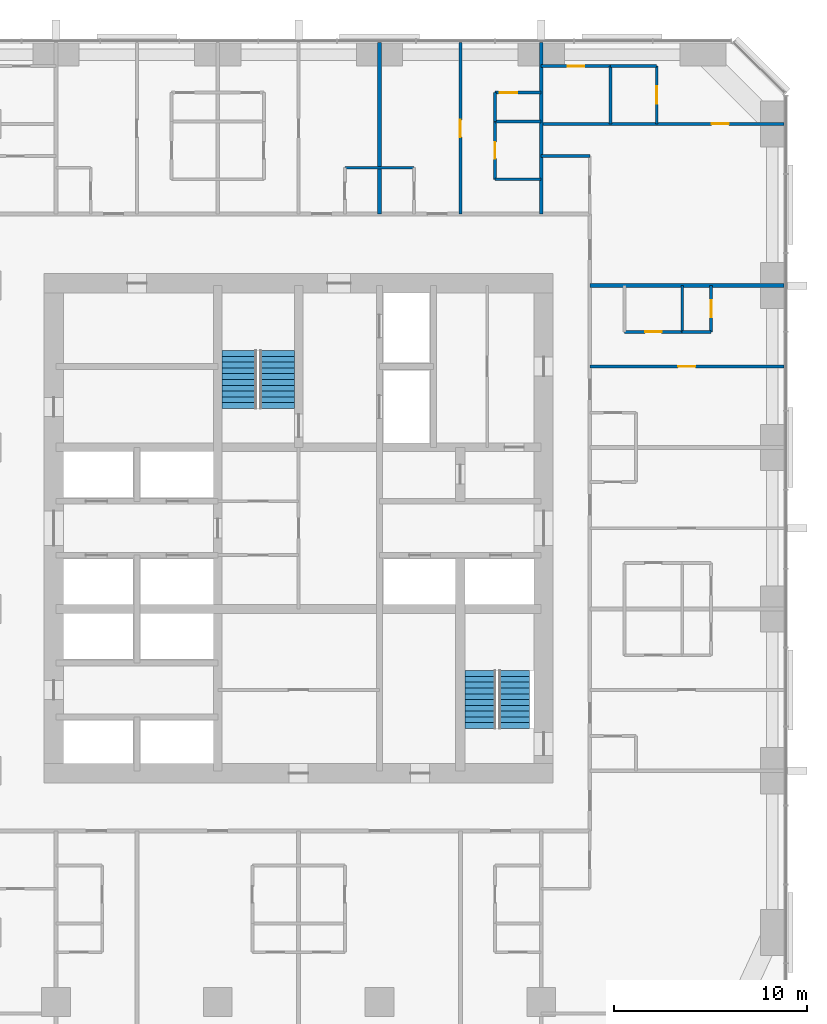
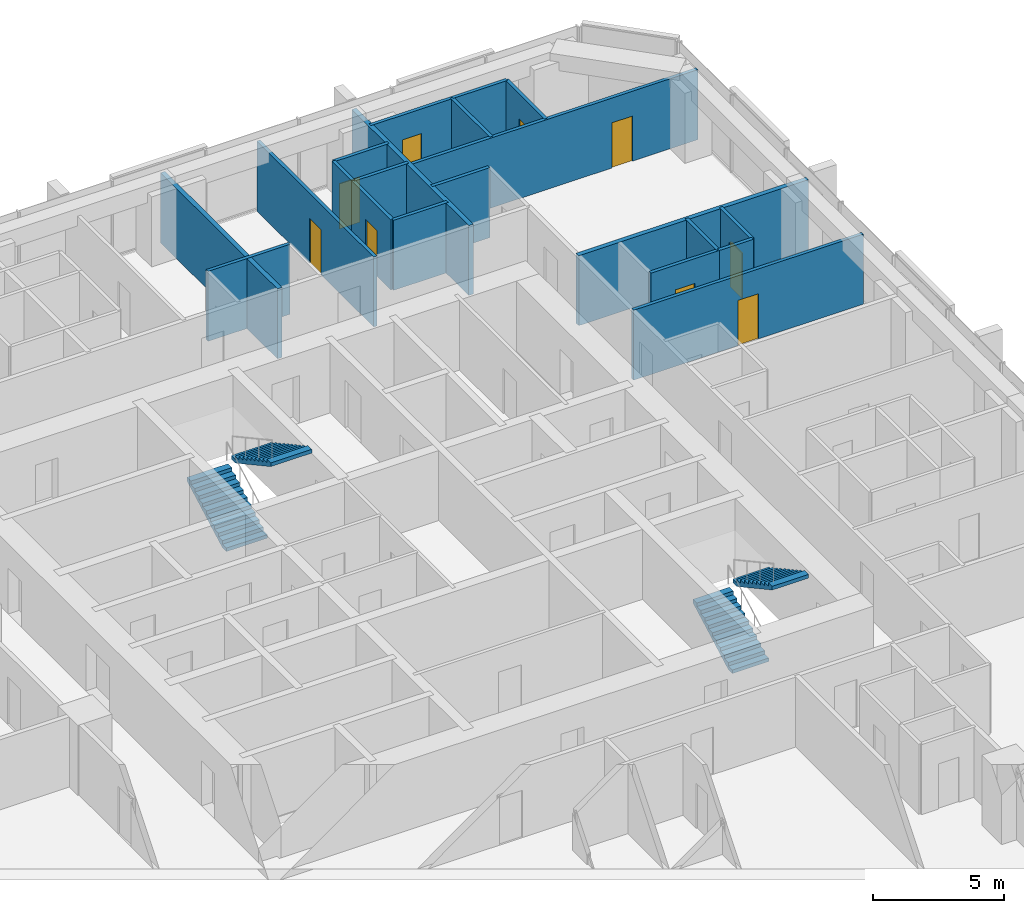
# One storey, part 13 of 14: 21 walls, 9 doors, 4 stair flights, 9 openings, 2 elements without a shape of their own.
"""IFC4 building model written with IfcOpenShell, lengths in metres."""

from ifc_helpers import new_model, si_unit, direction, frame, frame_2d, origin, place, context, subcontext, project, spatial, polyline, rectangle, outline, extrude, material, layer, layer_set, type_object, element, fill, aggregate, save


model = new_model("IFC4")

# Units and contexts
model_context = context("Model", 3, precision=1e-05, world=origin(), true_north=direction((0.0, 1.0)))
body_context = subcontext(model_context, "Body", "Model", "MODEL_VIEW")
ifc_project = project(units=[si_unit("LENGTHUNIT", "METRE"), si_unit("AREAUNIT", "SQUARE_METRE"), si_unit("VOLUMEUNIT", "CUBIC_METRE"), si_unit("PLANEANGLEUNIT", "RADIAN"), si_unit("MASSUNIT", "GRAM", prefix="KILO")], contexts=[model_context])

# Site, building, storey
site_placement = place(None, origin())
site = spatial("IfcSite", under=ifc_project, at=site_placement, CompositionType="ELEMENT")
building_placement = place(site_placement, origin())
building = spatial("IfcBuilding", under=site, at=building_placement, Name="Dunama Terrace Hotel", CompositionType="ELEMENT")
storey_placement = place(building_placement, frame((0.0, 0.0, 126.0)))
storey = spatial("IfcBuildingStorey", under=building, at=storey_placement, Name="L32", CompositionType="ELEMENT", Elevation=126.0)

# Wall, opening, door
ifc_material_1 = material(Name="Gypsum board partition", Category="masonry")
ifc_layer_1 = layer(ifc_material_1, 0.14990234375)
ifc_layer_set_1 = layer_set([ifc_layer_1], Name="Bathroom partition 150")
wall_type_1 = type_object("IfcWallType", Name="Bathroom partition 150", PredefinedType="PARTITIONING", material=ifc_layer_set_1)
wall_1_placement = place(storey_placement, frame((39.60009765625, 47.52490234375, 0.0), z_axis=(0.0, 0.0, 1.0), x_axis=(0.0, 1.0, 0.0)))
wall_1 = element("IfcWall", 1, at=wall_1_placement, inside=storey, type_object=wall_type_1, Name="Bathroom partition 150 L32", PredefinedType="PARTITIONING", context=body_context, shape_type="SweptSolid", body=[
    extrude(rectangle(XDim=3.0, YDim=0.14990234375, at=frame_2d((1.5, 0.0))), origin(), (0.0, 0.0, 1.0), 3.25),
])
opening_1_placement = place(wall_1_placement, frame((1.074951171875, 0.0, 0.0)))
opening_1 = element("IfcOpeningElement", 2, at=opening_1_placement, cuts=wall_1, Name="Opening L31-33-051", PredefinedType="OPENING", context=body_context, shape_type="SweptSolid", body=[
    extrude(rectangle(XDim=0.85009765625, YDim=2.10009765625, at=frame_2d((0.425048828125, 1.050048828125))), frame((0.0, 0.0849609375, 0.0), z_axis=(0.0, -1.0, 0.0), x_axis=(1.0, 0.0, 0.0)), (0.0, 0.0, 1.0), 0.169921875),
])
ifc_material_2 = material(Name="Timber door with steel frame", Category="steel")
door_type_1 = type_object("IfcDoorType", Name="Bathroom door 850", OperationType="SINGLE_SWING_LEFT", PredefinedType="DOOR", material=ifc_material_2)
door_1_placement = place(opening_1_placement, frame((0.85009765625, 0.0, 0.0), z_axis=(0.0, 0.0, 1.0), x_axis=(-1.0, 0.0, 0.0)))
door_1 = element("IfcDoor", 3, at=door_1_placement, inside=storey, type_object=door_type_1, Name="Door to en-suite bathroom L31-33-051, type D2", OperationType="SINGLE_SWING_LEFT", OverallHeight=2.10009765625, OverallWidth=0.85009765625, PredefinedType="DOOR", context=body_context, shape_type="SweptSolid", body=[
    extrude(rectangle(XDim=0.85009765625, YDim=2.10009765625, at=frame_2d((0.425048828125, 1.050048828125))), frame((0.0, 0.025146484375, 0.0), z_axis=(0.0, -1.0, 0.0), x_axis=(1.0, 0.0, 0.0)), (0.0, 0.0, 1.0), 0.050048828125),
])
fill(opening_1, door_1)

wall_2_placement = place(storey_placement, frame((46.324951171875, 39.60009765625, 0.0), z_axis=(0.0, 0.0, 1.0), x_axis=(1.0, 0.0, 0.0)))
wall_2 = element("IfcWall", 4, at=wall_2_placement, inside=storey, type_object=wall_type_1, Name="Bathroom partition 150 L32", PredefinedType="PARTITIONING", context=body_context, shape_type="SweptSolid", body=[
    extrude(rectangle(XDim=3.0, YDim=0.14990234375, at=frame_2d((1.5, 0.0))), origin(), (0.0, 0.0, 1.0), 3.25),
])
opening_2_placement = place(wall_2_placement, frame((1.074951171875, 0.0, 0.0)))
opening_2 = element("IfcOpeningElement", 5, at=opening_2_placement, cuts=wall_2, Name="Opening L31-33-036", PredefinedType="OPENING", context=body_context, shape_type="SweptSolid", body=[
    extrude(rectangle(XDim=0.85009765625, YDim=2.10009765625, at=frame_2d((0.425048828125, 1.050048828125))), frame((0.0, 0.0849609375, 0.0), z_axis=(0.0, -1.0, 0.0), x_axis=(1.0, 0.0, 0.0)), (0.0, 0.0, 1.0), 0.169921875),
])
door_2_placement = place(opening_2_placement, origin())
door_2 = element("IfcDoor", 6, at=door_2_placement, inside=storey, type_object=door_type_1, Name="Door to en-suite bathroom L31-33-036, type D2", OperationType="SINGLE_SWING_RIGHT", OverallHeight=2.10009765625, OverallWidth=0.85009765625, PredefinedType="DOOR", context=body_context, shape_type="SweptSolid", body=[
    extrude(rectangle(XDim=0.85009765625, YDim=2.10009765625, at=frame_2d((0.425048828125, 1.050048828125))), frame((0.0, 0.02490234375, 0.0), z_axis=(0.0, -1.0, 0.0), x_axis=(1.0, 0.0, 0.0)), (0.0, 0.0, 1.0), 0.050048828125),
])
fill(opening_2, door_2)

# Walls
wall_3_placement = place(storey_placement, frame((39.60009765625, 47.52490234375, 0.0), z_axis=(0.0, 0.0, 1.0), x_axis=(1.0, 0.0, 0.0)))
element("IfcWall", 7, at=wall_3_placement, inside=storey, type_object=wall_type_1, Name="Bathroom partition 150 L32", PredefinedType="PARTITIONING", context=body_context, shape_type="SweptSolid", body=[
    extrude(rectangle(XDim=2.39990234375, YDim=0.14990234375, at=frame_2d((1.199951171875, 0.0))), origin(), (0.0, 0.0, 1.0), 3.25),
])
wall_4_placement = place(storey_placement, frame((31.800048828125, 48.125, 0.0), z_axis=(0.0, 0.0, 1.0), x_axis=(1.0, 0.0, 0.0)))
element("IfcWall", 8, at=wall_4_placement, inside=storey, type_object=wall_type_1, Name="Bathroom partition 150 L32", PredefinedType="PARTITIONING", context=body_context, shape_type="SweptSolid", body=[
    extrude(rectangle(XDim=3.599853515625, YDim=0.14990234375, at=frame_2d((1.7998046875, 0.0))), origin(), (0.0, 0.0, 1.0), 3.25),
])
wall_5_placement = place(storey_placement, frame((42.0, 48.72509765625, 0.0), z_axis=(0.0, 0.0, 1.0), x_axis=(1.0, 0.0, 0.0)))
element("IfcWall", 9, at=wall_5_placement, inside=storey, type_object=wall_type_1, Name="Bathroom partition 150 L32", PredefinedType="PARTITIONING", context=body_context, shape_type="SweptSolid", body=[
    extrude(rectangle(XDim=2.52490234375, YDim=0.14990234375, at=frame_2d((1.262451171875, 0.0))), origin(), (0.0, 0.0, 1.0), 3.25),
])

# Wall, opening, door
wall_6_placement = place(storey_placement, frame((42.0, 53.39990234375, 0.0), z_axis=(0.0, 0.0, 1.0), x_axis=(1.0, 0.0, 0.0)))
wall_6 = element("IfcWall", 10, at=wall_6_placement, inside=storey, type_object=wall_type_1, Name="Bathroom partition 150 L32", PredefinedType="PARTITIONING", context=body_context, shape_type="SweptSolid", body=[
    extrude(rectangle(XDim=3.60009765625, YDim=0.14990234375, at=frame_2d((1.800048828125, 0.0))), origin(), (0.0, 0.0, 1.0), 3.25),
])
opening_3_placement = place(wall_6_placement, frame((1.375, 0.0, 0.0)))
opening_3 = element("IfcOpeningElement", 11, at=opening_3_placement, cuts=wall_6, Name="Opening L31-33-075", PredefinedType="OPENING", context=body_context, shape_type="SweptSolid", body=[
    extrude(rectangle(XDim=0.85009765625, YDim=2.10009765625, at=frame_2d((0.425048828125, 1.050048828125))), frame((0.0, 0.0849609375, 0.0), z_axis=(0.0, -1.0, 0.0), x_axis=(1.0, 0.0, 0.0)), (0.0, 0.0, 1.0), 0.169921875),
])
door_3_placement = place(opening_3_placement, frame((0.85009765625, 0.0, 0.0), z_axis=(0.0, 0.0, 1.0), x_axis=(-1.0, 0.0, 0.0)))
door_3 = element("IfcDoor", 12, at=door_3_placement, inside=storey, type_object=door_type_1, Name="Door to en-suite bathroom L31-33-075, type D2", OperationType="SINGLE_SWING_RIGHT", OverallHeight=2.10009765625, OverallWidth=0.85009765625, PredefinedType="DOOR", context=body_context, shape_type="SweptSolid", body=[
    extrude(rectangle(XDim=0.85009765625, YDim=2.10009765625, at=frame_2d((0.425048828125, 1.050048828125))), frame((0.0, 0.025146484375, 0.0), z_axis=(0.0, -1.0, 0.0), x_axis=(1.0, 0.0, 0.0)), (0.0, 0.0, 1.0), 0.050048828125),
])
fill(opening_3, door_3)

# Walls
ifc_material_3 = material(Name="Concrete blockwork", Category="masonry")
ifc_layer_2 = layer(ifc_material_3, 0.199951171875)
ifc_layer_set_2 = layer_set([ifc_layer_2], Name="Party wall 200")
wall_type_2 = type_object("IfcWallType", Name="Party wall 200", PredefinedType="PARTITIONING", material=ifc_layer_set_2)
for number, where, z_axis, x_axis, name in (
    (13, (33.60009765625, 45.72509765625, 0.0), (0.0, 0.0, 1.0), (0.0, 1.0, 0.0), "Party wall 200 L32"),
    (14, (42.0, 45.72509765625, 0.0), (0.0, 0.0, 1.0), (0.0, 1.0, 0.0), "Party wall 200 L32"),
):
    element("IfcWall", number, at=place(storey_placement, frame(where, z_axis=z_axis, x_axis=x_axis)), inside=storey, type_object=wall_type_2, Name=name, PredefinedType="PARTITIONING", context=body_context, shape_type="SweptSolid", body=[
        extrude(rectangle(XDim=8.892822265625, YDim=0.199951171875, at=frame_2d((4.4462890625, 0.0))), origin(), (0.0, 0.0, 1.0), 3.25),
    ])
wall_7_placement = place(storey_placement, frame((44.52490234375, 42.0, 0.0), z_axis=(0.0, 0.0, 1.0), x_axis=(1.0, 0.0, 0.0)))
element("IfcWall", 15, at=wall_7_placement, inside=storey, type_object=wall_type_2, Name="Party wall 200 L32", PredefinedType="PARTITIONING", context=body_context, shape_type="SweptSolid", body=[
    extrude(rectangle(XDim=10.093017578125, YDim=0.199951171875, at=frame_2d((5.04638671875, 0.0))), origin(), (0.0, 0.0, 1.0), 3.25),
])

# Wall, opening, door
ifc_material_4 = material(Name="Gypsum board partition", Category="masonry")
ifc_layer_3 = layer(ifc_material_4, 0.14990234375)
ifc_layer_set_3 = layer_set([ifc_layer_3], Name="Room partition 150")
wall_type_3 = type_object("IfcWallType", Name="Room partition 150", PredefinedType="PARTITIONING", material=ifc_layer_set_3)
wall_8_placement = place(storey_placement, frame((37.800048828125, 45.72509765625, 0.0), z_axis=(0.0, 0.0, 1.0), x_axis=(0.0, 1.0, 0.0)))
wall_8 = element("IfcWall", 16, at=wall_8_placement, inside=storey, type_object=wall_type_3, Name="Room partition 150 L32", PredefinedType="PARTITIONING", context=body_context, shape_type="SweptSolid", body=[
    extrude(rectangle(XDim=8.892822265625, YDim=0.14990234375, at=frame_2d((4.4462890625, 0.0))), origin(), (0.0, 0.0, 1.0), 3.25),
])
opening_4_placement = place(wall_8_placement, frame((3.987060546875, 0.0, 0.0)))
opening_4 = element("IfcOpeningElement", 17, at=opening_4_placement, cuts=wall_8, Name="Opening L31-33-050", PredefinedType="OPENING", context=body_context, shape_type="SweptSolid", body=[
    extrude(rectangle(XDim=0.89990234375, YDim=2.10009765625, at=frame_2d((0.449951171875, 1.050048828125))), frame((0.0, 0.0849609375, 0.0), z_axis=(0.0, -1.0, 0.0), x_axis=(1.0, 0.0, 0.0)), (0.0, 0.0, 1.0), 0.169921875),
])
ifc_material_5 = material(Name="Timber door with steel frame", Category="steel")
door_type_2 = type_object("IfcDoorType", Name="Suite internal door 900", OperationType="SINGLE_SWING_LEFT", PredefinedType="DOOR", material=ifc_material_5)
door_4_placement = place(opening_4_placement, frame((0.89990234375, 0.0, 0.0), z_axis=(0.0, 0.0, 1.0), x_axis=(-1.0, 0.0, 0.0)))
door_4 = element("IfcDoor", 18, at=door_4_placement, inside=storey, type_object=door_type_2, Name="Door to premier suite bedroom L31-33-050, type D16", OperationType="SINGLE_SWING_RIGHT", OverallHeight=2.10009765625, OverallWidth=0.89990234375, PredefinedType="DOOR", context=body_context, shape_type="SweptSolid", body=[
    extrude(rectangle(XDim=0.89990234375, YDim=2.10009765625, at=frame_2d((0.449951171875, 1.050048828125))), frame((0.0, 0.025146484375, 0.0), z_axis=(0.0, -1.0, 0.0), x_axis=(1.0, 0.0, 0.0)), (0.0, 0.0, 1.0), 0.050048828125),
])
fill(opening_4, door_4)

# Walls
wall_9_placement = place(storey_placement, frame((39.60009765625, 50.52490234375, 0.0), z_axis=(0.0, 0.0, 1.0), x_axis=(0.0, 1.0, 0.0)))
element("IfcWall", 19, at=wall_9_placement, inside=storey, type_object=wall_type_3, Name="Room partition 150 L32", PredefinedType="PARTITIONING", context=body_context, shape_type="SweptSolid", body=[
    extrude(rectangle(XDim=1.5, YDim=0.14990234375, at=frame_2d((0.75, 0.0))), origin(), (0.0, 0.0, 1.0), 3.25),
])
wall_10_placement = place(storey_placement, frame((45.60009765625, 50.39990234375, 0.0), z_axis=(0.0, 0.0, 1.0), x_axis=(0.0, 1.0, 0.0)))
element("IfcWall", 20, at=wall_10_placement, inside=storey, type_object=wall_type_3, Name="Room partition 150 L32", PredefinedType="PARTITIONING", context=body_context, shape_type="SweptSolid", body=[
    extrude(rectangle(XDim=3.0, YDim=0.14990234375, at=frame_2d((1.5, 0.0))), origin(), (0.0, 0.0, 1.0), 3.25),
])

# Wall, opening, door
wall_11_placement = place(storey_placement, frame((48.0, 50.39990234375, 0.0), z_axis=(0.0, 0.0, 1.0), x_axis=(0.0, 1.0, 0.0)))
wall_11 = element("IfcWall", 21, at=wall_11_placement, inside=storey, type_object=wall_type_3, Name="Room partition 150 L32", PredefinedType="PARTITIONING", context=body_context, shape_type="SweptSolid", body=[
    extrude(rectangle(XDim=3.0, YDim=0.14990234375, at=frame_2d((1.5, 0.0))), origin(), (0.0, 0.0, 1.0), 3.25),
])
opening_5_placement = place(wall_11_placement, frame((1.050048828125, 0.0, 0.0)))
opening_5 = element("IfcOpeningElement", 22, at=opening_5_placement, cuts=wall_11, Name="Opening L31-33-076", PredefinedType="OPENING", context=body_context, shape_type="SweptSolid", body=[
    extrude(rectangle(XDim=0.89990234375, YDim=2.10009765625, at=frame_2d((0.449951171875, 1.050048828125))), frame((0.0, 0.0849609375, 0.0), z_axis=(0.0, -1.0, 0.0), x_axis=(1.0, 0.0, 0.0)), (0.0, 0.0, 1.0), 0.169921875),
])
door_5_placement = place(opening_5_placement, origin())
door_5 = element("IfcDoor", 23, at=door_5_placement, inside=storey, type_object=door_type_2, Name="Door to dressing room L31-33-076, type D16", OperationType="SINGLE_SWING_LEFT", OverallHeight=2.10009765625, OverallWidth=0.89990234375, PredefinedType="DOOR", context=body_context, shape_type="SweptSolid", body=[
    extrude(rectangle(XDim=0.89990234375, YDim=2.10009765625, at=frame_2d((0.449951171875, 1.050048828125))), frame((0.0, 0.02490234375, 0.0), z_axis=(0.0, -1.0, 0.0), x_axis=(1.0, 0.0, 0.0)), (0.0, 0.0, 1.0), 0.050048828125),
])
fill(opening_5, door_5)

# Wall
wall_12_placement = place(storey_placement, frame((49.324951171875, 39.60009765625, 0.0), z_axis=(0.0, 0.0, 1.0), x_axis=(0.0, 1.0, 0.0)))
element("IfcWall", 24, at=wall_12_placement, inside=storey, type_object=wall_type_3, Name="Room partition 150 L32", PredefinedType="PARTITIONING", context=body_context, shape_type="SweptSolid", body=[
    extrude(rectangle(XDim=2.39990234375, YDim=0.14990234375, at=frame_2d((1.199951171875, 0.0))), origin(), (0.0, 0.0, 1.0), 3.25),
])

# Wall, opening, door
wall_13_placement = place(storey_placement, frame((50.824951171875, 39.60009765625, 0.0), z_axis=(0.0, 0.0, 1.0), x_axis=(0.0, 1.0, 0.0)))
wall_13 = element("IfcWall", 25, at=wall_13_placement, inside=storey, type_object=wall_type_3, Name="Room partition 150 L32", PredefinedType="PARTITIONING", context=body_context, shape_type="SweptSolid", body=[
    extrude(rectangle(XDim=2.39990234375, YDim=0.14990234375, at=frame_2d((1.199951171875, 0.0))), origin(), (0.0, 0.0, 1.0), 3.25),
])
opening_6_placement = place(wall_13_placement, frame((0.75, 0.0, 0.0)))
opening_6 = element("IfcOpeningElement", 26, at=opening_6_placement, cuts=wall_13, Name="Opening L31-33-037", PredefinedType="OPENING", context=body_context, shape_type="SweptSolid", body=[
    extrude(rectangle(XDim=0.89990234375, YDim=2.10009765625, at=frame_2d((0.449951171875, 1.050048828125))), frame((0.0, 0.0849609375, 0.0), z_axis=(0.0, -1.0, 0.0), x_axis=(1.0, 0.0, 0.0)), (0.0, 0.0, 1.0), 0.169921875),
])
door_6_placement = place(opening_6_placement, origin())
door_6 = element("IfcDoor", 27, at=door_6_placement, inside=storey, type_object=door_type_2, Name="Door to walk-in wardrobe L31-33-037, type D16", OperationType="SINGLE_SWING_LEFT", OverallHeight=2.10009765625, OverallWidth=0.89990234375, PredefinedType="DOOR", context=body_context, shape_type="SweptSolid", body=[
    extrude(rectangle(XDim=0.89990234375, YDim=2.10009765625, at=frame_2d((0.449951171875, 1.050048828125))), frame((0.0, 0.02490234375, 0.0), z_axis=(0.0, -1.0, 0.0), x_axis=(1.0, 0.0, 0.0)), (0.0, 0.0, 1.0), 0.050048828125),
])
fill(opening_6, door_6)

wall_14_placement = place(storey_placement, frame((44.52490234375, 37.800048828125, 0.0), z_axis=(0.0, 0.0, 1.0), x_axis=(1.0, 0.0, 0.0)))
wall_14 = element("IfcWall", 28, at=wall_14_placement, inside=storey, type_object=wall_type_3, Name="Room partition 150 L32", PredefinedType="PARTITIONING", context=body_context, shape_type="SweptSolid", body=[
    extrude(rectangle(XDim=10.093017578125, YDim=0.14990234375, at=frame_2d((5.04638671875, 0.0))), origin(), (0.0, 0.0, 1.0), 3.25),
])
opening_7_placement = place(wall_14_placement, frame((4.5869140625, 0.0, 0.0)))
opening_7 = element("IfcOpeningElement", 29, at=opening_7_placement, cuts=wall_14, Name="Opening L31-33-035", PredefinedType="OPENING", context=body_context, shape_type="SweptSolid", body=[
    extrude(rectangle(XDim=0.89990234375, YDim=2.10009765625, at=frame_2d((0.449951171875, 1.050048828125))), frame((0.0, 0.0849609375, 0.0), z_axis=(0.0, -1.0, 0.0), x_axis=(1.0, 0.0, 0.0)), (0.0, 0.0, 1.0), 0.169921875),
])
door_7_placement = place(opening_7_placement, origin())
door_7 = element("IfcDoor", 30, at=door_7_placement, inside=storey, type_object=door_type_2, Name="Door to executive suite bedroom L31-33-035, type D16", OperationType="SINGLE_SWING_LEFT", OverallHeight=2.10009765625, OverallWidth=0.89990234375, PredefinedType="DOOR", context=body_context, shape_type="SweptSolid", body=[
    extrude(rectangle(XDim=0.89990234375, YDim=2.10009765625, at=frame_2d((0.449951171875, 1.050048828125))), frame((0.0, 0.02490234375, 0.0), z_axis=(0.0, -1.0, 0.0), x_axis=(1.0, 0.0, 0.0)), (0.0, 0.0, 1.0), 0.050048828125),
])
fill(opening_7, door_7)

# Wall
wall_15_placement = place(storey_placement, frame((49.324951171875, 39.60009765625, 0.0), z_axis=(0.0, 0.0, 1.0), x_axis=(1.0, 0.0, 0.0)))
element("IfcWall", 31, at=wall_15_placement, inside=storey, type_object=wall_type_3, Name="Room partition 150 L32", PredefinedType="PARTITIONING", context=body_context, shape_type="SweptSolid", body=[
    extrude(rectangle(XDim=1.5, YDim=0.14990234375, at=frame_2d((0.75, 0.0))), origin(), (0.0, 0.0, 1.0), 3.25),
])

# Wall, opening, door
wall_16_placement = place(storey_placement, frame((42.0, 50.39990234375, 0.0), z_axis=(0.0, 0.0, 1.0), x_axis=(1.0, 0.0, 0.0)))
wall_16 = element("IfcWall", 32, at=wall_16_placement, inside=storey, type_object=wall_type_3, Name="Room partition 150 L32", PredefinedType="PARTITIONING", context=body_context, shape_type="SweptSolid", body=[
    extrude(rectangle(XDim=12.617919921875, YDim=0.14990234375, at=frame_2d((6.30908203125, 0.0))), origin(), (0.0, 0.0, 1.0), 3.25),
])
opening_8_placement = place(wall_16_placement, frame((8.85009765625, 0.0, 0.0)))
opening_8 = element("IfcOpeningElement", 33, at=opening_8_placement, cuts=wall_16, Name="Opening L31-33-074", PredefinedType="OPENING", context=body_context, shape_type="SweptSolid", body=[
    extrude(rectangle(XDim=0.89990234375, YDim=2.10009765625, at=frame_2d((0.449951171875, 1.050048828125))), frame((0.0, 0.0849609375, 0.0), z_axis=(0.0, -1.0, 0.0), x_axis=(1.0, 0.0, 0.0)), (0.0, 0.0, 1.0), 0.169921875),
])
door_8_placement = place(opening_8_placement, origin())
door_8 = element("IfcDoor", 34, at=door_8_placement, inside=storey, type_object=door_type_2, Name="Door to corner suite bedroom L31-33-074, type D16", OperationType="SINGLE_SWING_RIGHT", OverallHeight=2.10009765625, OverallWidth=0.89990234375, PredefinedType="DOOR", context=body_context, shape_type="SweptSolid", body=[
    extrude(rectangle(XDim=0.89990234375, YDim=2.10009765625, at=frame_2d((0.449951171875, 1.050048828125))), frame((0.0, 0.02490234375, 0.0), z_axis=(0.0, -1.0, 0.0), x_axis=(1.0, 0.0, 0.0)), (0.0, 0.0, 1.0), 0.050048828125),
])
fill(opening_8, door_8)

# Wall
wall_17_placement = place(storey_placement, frame((39.60009765625, 50.52490234375, 0.0), z_axis=(0.0, 0.0, 1.0), x_axis=(1.0, 0.0, 0.0)))
element("IfcWall", 35, at=wall_17_placement, inside=storey, type_object=wall_type_3, Name="Room partition 150 L32", PredefinedType="PARTITIONING", context=body_context, shape_type="SweptSolid", body=[
    extrude(rectangle(XDim=2.39990234375, YDim=0.14990234375, at=frame_2d((1.199951171875, 0.0))), origin(), (0.0, 0.0, 1.0), 3.25),
])

# Wall, opening, door
wall_18_placement = place(storey_placement, frame((39.60009765625, 52.02490234375, 0.0), z_axis=(0.0, 0.0, 1.0), x_axis=(1.0, 0.0, 0.0)))
wall_18 = element("IfcWall", 36, at=wall_18_placement, inside=storey, type_object=wall_type_3, Name="Room partition 150 L32", PredefinedType="PARTITIONING", context=body_context, shape_type="SweptSolid", body=[
    extrude(rectangle(XDim=2.39990234375, YDim=0.14990234375, at=frame_2d((1.199951171875, 0.0))), origin(), (0.0, 0.0, 1.0), 3.25),
])
opening_9_placement = place(wall_18_placement, frame((0.25, 0.0, 0.0)))
opening_9 = element("IfcOpeningElement", 37, at=opening_9_placement, cuts=wall_18, Name="Opening L31-33-052", PredefinedType="OPENING", context=body_context, shape_type="SweptSolid", body=[
    extrude(rectangle(XDim=0.89990234375, YDim=2.10009765625, at=frame_2d((0.449951171875, 1.050048828125))), frame((0.0, 0.0849609375, 0.0), z_axis=(0.0, -1.0, 0.0), x_axis=(1.0, 0.0, 0.0)), (0.0, 0.0, 1.0), 0.169921875),
])
door_9_placement = place(opening_9_placement, frame((0.89990234375, 0.0, 0.0), z_axis=(0.0, 0.0, 1.0), x_axis=(-1.0, 0.0, 0.0)))
door_9 = element("IfcDoor", 38, at=door_9_placement, inside=storey, type_object=door_type_2, Name="Door to walk-in wardrobe L31-33-052, type D16", OperationType="SINGLE_SWING_RIGHT", OverallHeight=2.10009765625, OverallWidth=0.89990234375, PredefinedType="DOOR", context=body_context, shape_type="SweptSolid", body=[
    extrude(rectangle(XDim=0.89990234375, YDim=2.10009765625, at=frame_2d((0.449951171875, 1.050048828125))), frame((0.0, 0.025146484375, 0.0), z_axis=(0.0, -1.0, 0.0), x_axis=(1.0, 0.0, 0.0)), (0.0, 0.0, 1.0), 0.050048828125),
])
fill(opening_9, door_9)

# Wall
wall_19_placement = place(storey_placement, frame((45.60009765625, 53.39990234375, 0.0), z_axis=(0.0, 0.0, 1.0), x_axis=(1.0, 0.0, 0.0)))
element("IfcWall", 39, at=wall_19_placement, inside=storey, type_object=wall_type_3, Name="Room partition 150 L32", PredefinedType="PARTITIONING", context=body_context, shape_type="SweptSolid", body=[
    extrude(rectangle(XDim=2.39990234375, YDim=0.14990234375, at=frame_2d((1.199951171875, 0.0))), origin(), (0.0, 0.0, 1.0), 3.25),
])

# Stair, stair flights
ifc_material_6 = material(Name="Concrete C40/50", Category="concrete")
stair_type_1 = type_object("IfcStairType", Name="Stair ST1-3600-1800", PredefinedType="HALF_TURN_STAIR", material=ifc_material_6)
stair_1_placement = place(storey_placement, origin())
stair_1 = element("IfcStair", 40, at=stair_1_placement, inside=storey, type_object=stair_type_1, Name="Stair ST1 L32", PredefinedType="HALF_TURN_STAIR")
ifc_material_7 = material(Name="Concrete C40/50", Category="concrete")
stair_flight_type_1 = type_object("IfcStairFlightType", Name="Stair flight ST1-3600-1800", PredefinedType="STRAIGHT", material=ifc_material_7)
stair_flight_1_placement = place(storey_placement, frame((26.324951171875, 35.625, 0.0), z_axis=(0.0, 0.0, 1.0), x_axis=(0.0, 1.0, 0.0)))
stair_flight_1 = element("IfcStairFlight", 41, at=stair_flight_1_placement, type_object=stair_flight_type_1, Name="ST1 flight 1", NumberOfRisers=11, NumberOfTreads=10, PredefinedType="STRAIGHT", RiserHeight=0.163636364, TreadLength=0.3, context=body_context, shape_type="SweptSolid", body=[
    extrude(outline(polyline([(0.0, 0.0), (0.0, 0.16357421875), (0.300048828125, 0.16357421875), (0.300048828125, 0.327392578125), (0.60009765625, 0.327392578125), (0.60009765625, 0.490966796875), (0.89990234375, 0.490966796875), (0.89990234375, 0.654541015625), (1.199951171875, 0.654541015625), (1.199951171875, 0.818115234375), (1.5, 0.818115234375), (1.5, 0.98193359375), (1.800048828125, 0.98193359375), (1.800048828125, 1.1455078125), (2.10009765625, 1.1455078125), (2.10009765625, 1.30908203125), (2.39990234375, 1.30908203125), (2.39990234375, 1.47265625), (2.699951171875, 1.47265625), (2.699951171875, 1.636474609375), (3.0, 1.636474609375), (3.0, 1.800048828125), (3.0, 1.465576171875), (0.31298828125, 0.0), (0.0, 0.0)])), frame((0.0, 0.89990234375, 0.0), z_axis=(0.0, -1.0, 0.0), x_axis=(1.0, 0.0, 0.0)), (0.0, 0.0, 1.0), 1.800048828125),
])
stair_flight_2_placement = place(storey_placement, frame((28.27490234375, 38.625, 1.800048828125), z_axis=(0.0, 0.0, 1.0), x_axis=(0.0, -1.0, 0.0)))
stair_flight_2 = element("IfcStairFlight", 42, at=stair_flight_2_placement, type_object=stair_flight_type_1, Name="ST1 flight 2", NumberOfRisers=11, NumberOfTreads=10, PredefinedType="STRAIGHT", RiserHeight=0.163636364, TreadLength=0.3, context=body_context, shape_type="SweptSolid", body=[
    extrude(outline(polyline([(0.0, 0.0), (0.0, 0.16357421875), (0.300048828125, 0.16357421875), (0.300048828125, 0.327392578125), (0.60009765625, 0.327392578125), (0.60009765625, 0.490966796875), (0.89990234375, 0.490966796875), (0.89990234375, 0.654541015625), (1.199951171875, 0.654541015625), (1.199951171875, 0.818115234375), (1.5, 0.818115234375), (1.5, 0.98193359375), (1.800048828125, 0.98193359375), (1.800048828125, 1.1455078125), (2.10009765625, 1.1455078125), (2.10009765625, 1.30908203125), (2.39990234375, 1.30908203125), (2.39990234375, 1.47265625), (2.699951171875, 1.47265625), (2.699951171875, 1.636474609375), (3.0, 1.636474609375), (3.0, 1.800048828125), (3.0, 1.465576171875), (0.31298828125, 0.0), (0.0, 0.0)])), frame((0.0, 0.89990234375, 0.0), z_axis=(0.0, -1.0, 0.0), x_axis=(1.0, 0.0, 0.0)), (0.0, 0.0, 1.0), 1.800048828125),
])
aggregate(stair_1, [stair_flight_1, stair_flight_2])

ifc_material_8 = material(Name="Concrete C40/50", Category="concrete")
stair_type_2 = type_object("IfcStairType", Name="Stair ST2-3600-1600", PredefinedType="HALF_TURN_STAIR", material=ifc_material_8)
stair_2_placement = place(storey_placement, origin())
stair_2 = element("IfcStair", 43, at=stair_2_placement, inside=storey, type_object=stair_type_2, Name="Stair ST2 L32", PredefinedType="HALF_TURN_STAIR")
ifc_material_9 = material(Name="Concrete C40/50", Category="concrete")
stair_flight_type_2 = type_object("IfcStairFlightType", Name="Stair flight ST2-3600-1600", PredefinedType="STRAIGHT", material=ifc_material_9)
stair_flight_3_placement = place(storey_placement, frame((38.85009765625, 19.0, 0.0), z_axis=(0.0, 0.0, 1.0), x_axis=(0.0, 1.0, 0.0)))
stair_flight_3 = element("IfcStairFlight", 44, at=stair_flight_3_placement, type_object=stair_flight_type_2, Name="ST2 flight 1", NumberOfRisers=11, NumberOfTreads=10, PredefinedType="STRAIGHT", RiserHeight=0.163636364, TreadLength=0.3, context=body_context, shape_type="SweptSolid", body=[
    extrude(outline(polyline([(0.0, 0.0), (0.0, 0.16357421875), (0.300048828125, 0.16357421875), (0.300048828125, 0.327392578125), (0.60009765625, 0.327392578125), (0.60009765625, 0.490966796875), (0.89990234375, 0.490966796875), (0.89990234375, 0.654541015625), (1.199951171875, 0.654541015625), (1.199951171875, 0.818115234375), (1.5, 0.818115234375), (1.5, 0.98193359375), (1.800048828125, 0.98193359375), (1.800048828125, 1.1455078125), (2.10009765625, 1.1455078125), (2.10009765625, 1.30908203125), (2.39990234375, 1.30908203125), (2.39990234375, 1.47265625), (2.699951171875, 1.47265625), (2.699951171875, 1.636474609375), (3.0, 1.636474609375), (3.0, 1.800048828125), (3.0, 1.465576171875), (0.31298828125, 0.0), (0.0, 0.0)])), frame((0.0, 0.800048828125, 0.0), z_axis=(0.0, -1.0, 0.0), x_axis=(1.0, 0.0, 0.0)), (0.0, 0.0, 1.0), 1.60009765625),
])
stair_flight_4_placement = place(storey_placement, frame((40.60009765625, 22.0, 1.800048828125), z_axis=(0.0, 0.0, 1.0), x_axis=(0.0, -1.0, 0.0)))
stair_flight_4 = element("IfcStairFlight", 45, at=stair_flight_4_placement, type_object=stair_flight_type_2, Name="ST2 flight 2", NumberOfRisers=11, NumberOfTreads=10, PredefinedType="STRAIGHT", RiserHeight=0.163636364, TreadLength=0.3, context=body_context, shape_type="SweptSolid", body=[
    extrude(outline(polyline([(0.0, 0.0), (0.0, 0.16357421875), (0.300048828125, 0.16357421875), (0.300048828125, 0.327392578125), (0.60009765625, 0.327392578125), (0.60009765625, 0.490966796875), (0.89990234375, 0.490966796875), (0.89990234375, 0.654541015625), (1.199951171875, 0.654541015625), (1.199951171875, 0.818115234375), (1.5, 0.818115234375), (1.5, 0.98193359375), (1.800048828125, 0.98193359375), (1.800048828125, 1.1455078125), (2.10009765625, 1.1455078125), (2.10009765625, 1.30908203125), (2.39990234375, 1.30908203125), (2.39990234375, 1.47265625), (2.699951171875, 1.47265625), (2.699951171875, 1.636474609375), (3.0, 1.636474609375), (3.0, 1.800048828125), (3.0, 1.465576171875), (0.31298828125, 0.0), (0.0, 0.0)])), frame((0.0, 0.800048828125, 0.0), z_axis=(0.0, -1.0, 0.0), x_axis=(1.0, 0.0, 0.0)), (0.0, 0.0, 1.0), 1.60009765625),
])
aggregate(stair_2, [stair_flight_3, stair_flight_4])

save(model, "model.ifc")
